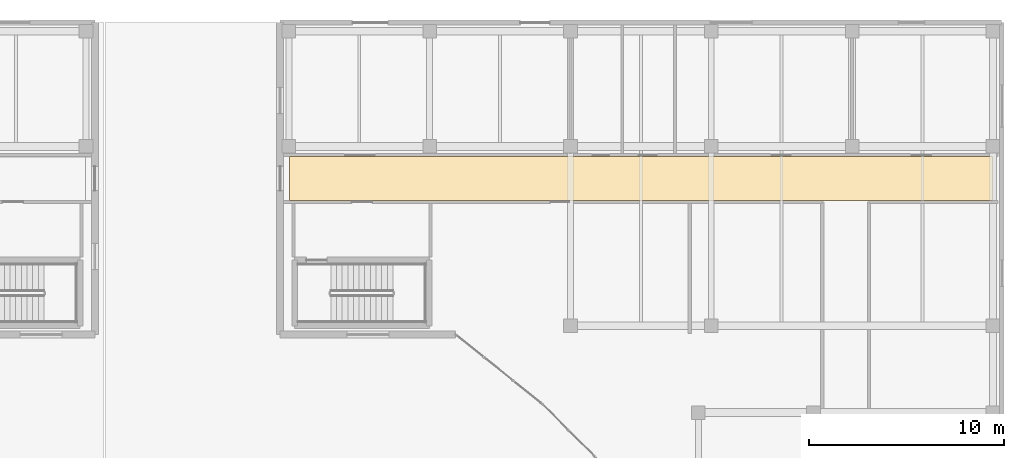
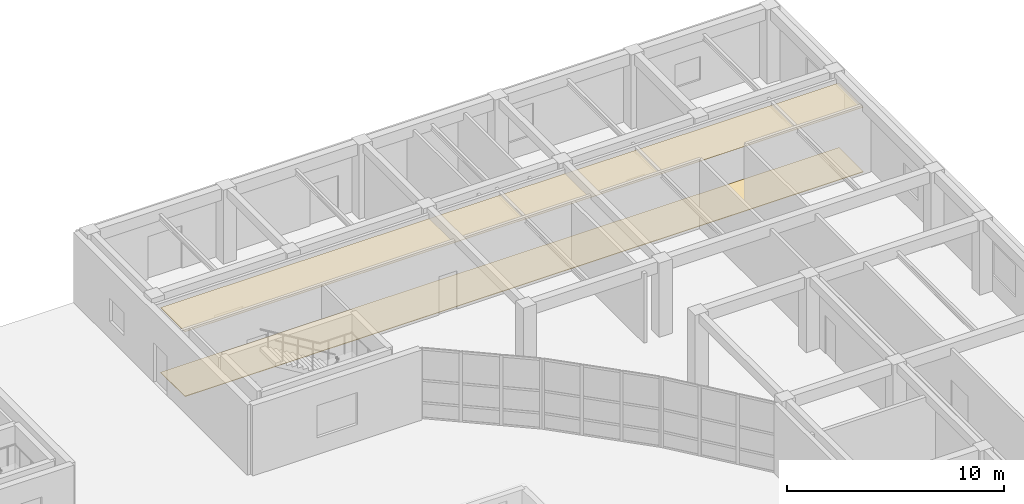
# One storey, part 113 of 114: 2 coverings.
"""IFC4 building model written with IfcOpenShell, lengths in metres."""

from ifc_helpers import new_model, si_unit, direction, frame, origin, place, context, subcontext, project, spatial, polyline, outline, extrude, material, layer, layer_set, type_object, element, save


model = new_model("IFC4")

# Units and contexts
model_context = context("Model", 3, precision=1e-05, world=origin(), true_north=direction((0.0, 1.0)))
body_context = subcontext(model_context, "Body", "Model", "MODEL_VIEW")
ifc_project = project(units=[si_unit("LENGTHUNIT", "METRE"), si_unit("AREAUNIT", "SQUARE_METRE"), si_unit("VOLUMEUNIT", "CUBIC_METRE"), si_unit("PLANEANGLEUNIT", "RADIAN"), si_unit("MASSUNIT", "GRAM", prefix="KILO")], contexts=[model_context])

# Site, building, storey
site_placement = place(None, origin())
site = spatial("IfcSite", under=ifc_project, at=site_placement, CompositionType="ELEMENT")
building_placement = place(site_placement, origin())
building = spatial("IfcBuilding", under=site, at=building_placement, Name="Keldmere Railside Commons", CompositionType="ELEMENT")
storey_placement = place(building_placement, origin())
storey = spatial("IfcBuildingStorey", under=building, at=storey_placement, Name="L00", CompositionType="ELEMENT", Elevation=0.0)

# Coverings
ifc_material_1 = material(Name="Polished Terrazzo Tile Flooring", Category="concrete")
ifc_layer_1 = layer(ifc_material_1, 0.030029296875, Name="Polished Terrazzo Floor Finish 30")
ifc_layer_set_1 = layer_set([ifc_layer_1], Name="Polished Terrazzo Tile Flooring")
covering_type_1 = type_object("IfcCoveringType", Name="Polished Terrazzo Floor Finish 30", PredefinedType="FLOORING", material=ifc_layer_set_1)
covering_1_placement = place(storey_placement, origin())
element("IfcCovering", 1, at=covering_1_placement, inside=storey, type_object=covering_type_1, Name="FLR-1 Corridor Terrazzo A-L00", PredefinedType="FLOORING", context=body_context, shape_type="SweptSolid", body=[
    extrude(outline(polyline([(147.47998046875, 106.8798828125), (183.52001953125, 106.8798828125), (183.52001953125, 109.1201171875), (147.47998046875, 109.1201171875), (147.47998046875, 106.8798828125)])), origin(), (0.0, 0.0, 1.0), 0.030029296875),
])
ifc_material_2 = material(Name="Acoustic Mineral-Fibre Gypsum Ceiling", Category="gypsum")
ifc_layer_2 = layer(ifc_material_2, 0.02490234375, Name="Suspended Acoustic Ceiling 25")
ifc_layer_set_2 = layer_set([ifc_layer_2], Name="Acoustic Mineral-Fibre Gypsum Ceiling")
covering_type_2 = type_object("IfcCoveringType", Name="Suspended Acoustic Ceiling 25", PredefinedType="CEILING", material=ifc_layer_set_2)
covering_2_placement = place(storey_placement, frame((0.0, 0.0, 3.635009765625)))
element("IfcCovering", 2, at=covering_2_placement, inside=storey, type_object=covering_type_2, Name="CLG-1 Corridor Ceiling A-L00", PredefinedType="CEILING", context=body_context, shape_type="SweptSolid", body=[
    extrude(outline(polyline([(147.47998046875, 106.8798828125), (183.52001953125, 106.8798828125), (183.52001953125, 109.1201171875), (147.47998046875, 109.1201171875), (147.47998046875, 106.8798828125)])), origin(), (0.0, 0.0, 1.0), 0.02490234375),
])

save(model, "model.ifc")
